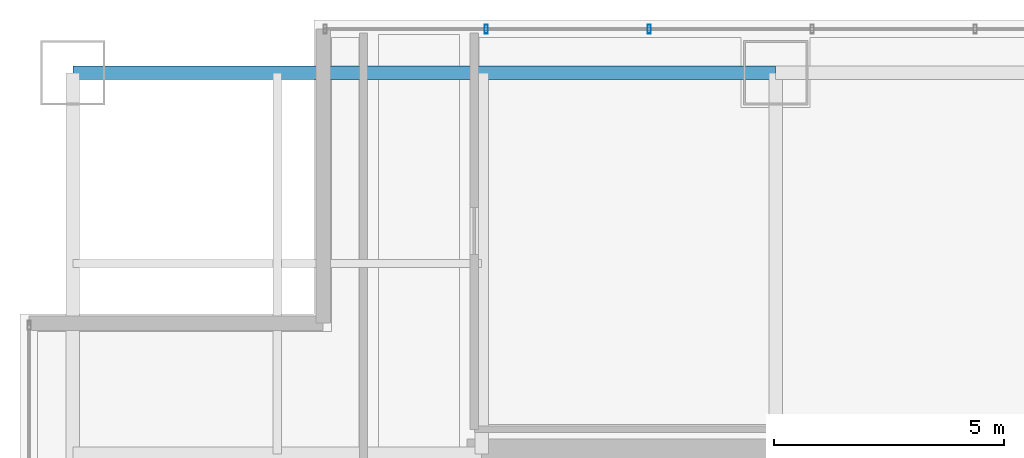
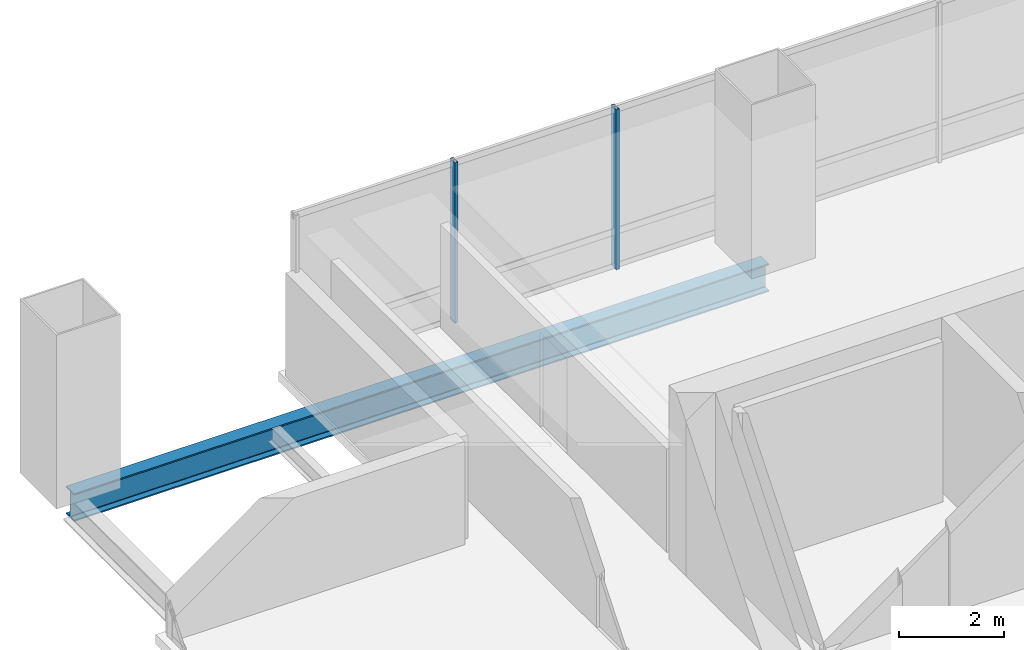
# One storey, part 22 of 35: 2 members, 1 beam, 1 element without a shape of its own.
"""IFC4 building model written with IfcOpenShell, lengths in metres."""

from ifc_helpers import new_model, si_unit, direction, frame, origin, origin_2d, place, context, subcontext, project, spatial, hollow_rectangle, i_section, extrude, material, material_profile, profile_set, type_object, element, aggregate, save


model = new_model("IFC4")

# Units and contexts
model_context = context("Model", 3, precision=1e-05, world=origin(), true_north=direction((0.0, 1.0)))
body_context = subcontext(model_context, "Body", "Model", "MODEL_VIEW")
ifc_project = project(units=[si_unit("LENGTHUNIT", "METRE"), si_unit("AREAUNIT", "SQUARE_METRE"), si_unit("VOLUMEUNIT", "CUBIC_METRE"), si_unit("PLANEANGLEUNIT", "RADIAN"), si_unit("MASSUNIT", "GRAM", prefix="KILO")], contexts=[model_context])

# Site, building, storey
site_placement = place(None, origin())
site = spatial("IfcSite", under=ifc_project, at=site_placement, CompositionType="ELEMENT")
building_placement = place(site_placement, origin())
building = spatial("IfcBuilding", under=site, at=building_placement, Name="Punatoya Terracotta Tower", CompositionType="ELEMENT")
storey_placement = place(building_placement, frame((0.0, 0.0, 232.949951171875)))
storey = spatial("IfcBuildingStorey", under=building, at=storey_placement, Name="L55", CompositionType="ELEMENT", Elevation=232.949951171875)

# Beam
ifc_material_1 = material(Name="Steel S355", Category="steel")
ifc_material_profile_1 = material_profile(ifc_material_1, i_section(OverallWidth=0.300048828125, OverallDepth=0.64990234375, WebThickness=0.01611328125, FlangeThickness=0.031005859375, FilletRadius=0.01806640625, at=origin_2d()))
ifc_profile_set_1 = profile_set([ifc_material_profile_1], Name="Steel S355")
beam_type = type_object("IfcBeamType", Name="BM-PRI-650", PredefinedType="BEAM", material=ifc_profile_set_1)
beam_placement = place(storey_placement, frame((-19.10009765625, 17.5, -0.544921875), z_axis=(1.0, 0.0, 0.0), x_axis=(0.0, 1.0, 0.0)))
element("IfcBeam", 1, at=beam_placement, inside=storey, type_object=beam_type, Name="BM-L55-RG-N1", PredefinedType="BEAM", context=body_context, shape_type="SweptSolid", body=[
    extrude(i_section(OverallWidth=0.300048828125, OverallDepth=0.64990234375, WebThickness=0.01611328125, FlangeThickness=0.031005859375, FilletRadius=0.01806640625, at=origin_2d()), origin(), (0.0, 0.0, 1.0), 15.300048828125),
])

# Curtain wall, members
ifc_material_2 = material(Name="Aluminium 6063-T6 + Double Low-E Glass", Category="aluminium")
curtain_wall_type = type_object("IfcCurtainWallType", Name="CW-M2", PredefinedType="NOTDEFINED", material=ifc_material_2)
curtain_wall_placement = place(storey_placement, origin())
curtain_wall = element("IfcCurtainWall", 2, at=curtain_wall_placement, inside=storey, type_object=curtain_wall_type, Name="L55 Curtain Wall CW-L55-N08-1", PredefinedType="NOTDEFINED")
ifc_material_3 = material(Name="Aluminium 6063-T6", Category="aluminium")
ifc_material_profile_2 = material_profile(ifc_material_3, hollow_rectangle(XDim=0.072021484375, YDim=0.195068359375, WallThickness=0.00439453125, at=origin_2d()))
ifc_profile_set_2 = profile_set([ifc_material_profile_2], Name="Aluminium 6063-T6")
member_type = type_object("IfcMemberType", Name="CW-MUL-M2", PredefinedType="MULLION", material=ifc_profile_set_2)
member_1_placement = place(storey_placement, frame((-6.552490234375, 18.449951171875, 0.0), z_axis=(0.0, 0.0, 1.0), x_axis=(1.0, 0.0, 0.0)))
member_1 = element("IfcMember", 3, at=member_1_placement, type_object=member_type, Name="CW-L55-N08-1 Mullion 08", PredefinedType="MULLION", context=body_context, shape_type="SweptSolid", body=[
    extrude(hollow_rectangle(XDim=0.072021484375, YDim=0.195068359375, WallThickness=0.00439453125, at=origin_2d()), origin(), (0.0, 0.0, 1.0), 3.72998046875),
])
member_2_placement = place(storey_placement, frame((-10.101318359375, 18.449951171875, 0.0), z_axis=(0.0, 0.0, 1.0), x_axis=(1.0, 0.0, 0.0)))
member_2 = element("IfcMember", 4, at=member_2_placement, type_object=member_type, Name="CW-L55-N08-1 Mullion 09", PredefinedType="MULLION", context=body_context, shape_type="SweptSolid", body=[
    extrude(hollow_rectangle(XDim=0.072021484375, YDim=0.195068359375, WallThickness=0.00439453125, at=origin_2d()), origin(), (0.0, 0.0, 1.0), 3.72998046875),
])
aggregate(curtain_wall, [member_1, member_2])

save(model, "model.ifc")
